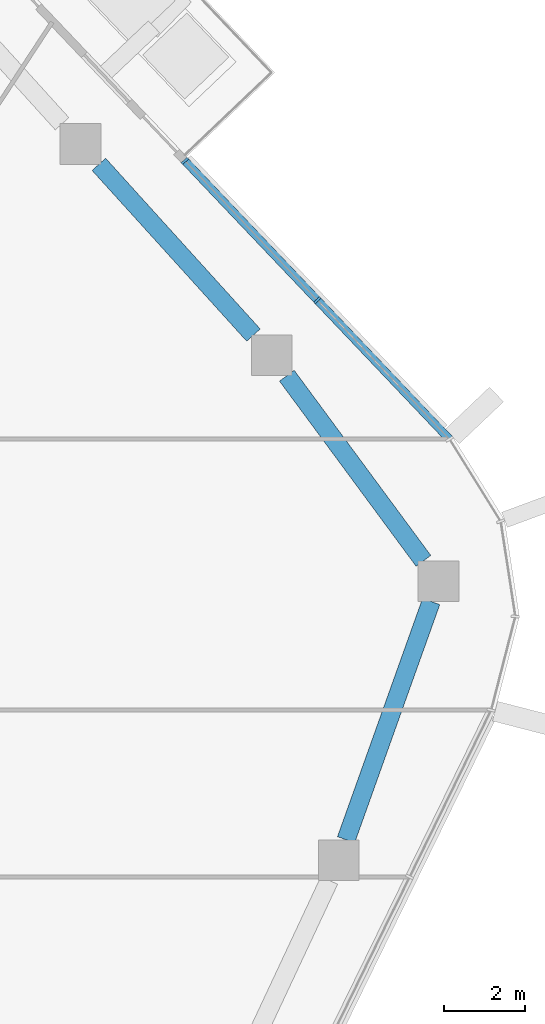
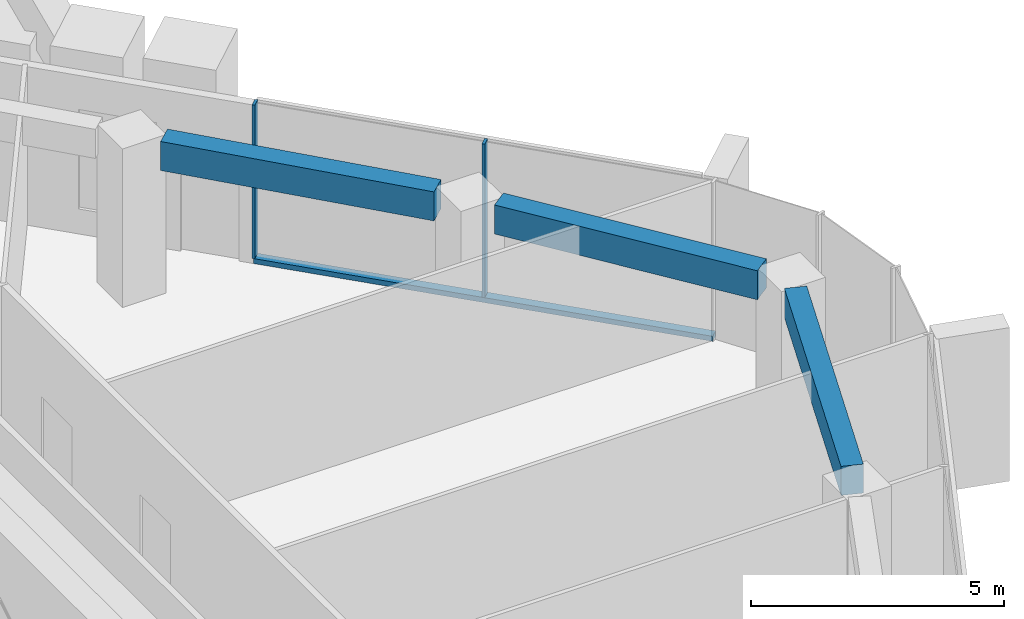
# One storey, part 8 of 23: 3 beams, 3 members, 1 element without a shape of its own.
"""IFC4 building model written with IfcOpenShell, lengths in metres."""

from ifc_helpers import new_model, si_unit, direction, frame, origin, origin_2d, place, context, subcontext, project, spatial, rectangle, extrude, material, layer, layer_set, material_profile, profile_set, type_object, element, aggregate, save


model = new_model("IFC4")

# Units and contexts
model_context = context("Model", 3, precision=1e-05, world=origin(), true_north=direction((0.0, 1.0)))
body_context = subcontext(model_context, "Body", "Model", "MODEL_VIEW")
ifc_project = project(units=[si_unit("LENGTHUNIT", "METRE"), si_unit("AREAUNIT", "SQUARE_METRE"), si_unit("VOLUMEUNIT", "CUBIC_METRE"), si_unit("PLANEANGLEUNIT", "RADIAN"), si_unit("MASSUNIT", "GRAM", prefix="KILO")], contexts=[model_context])

# Site, building, storey
site_placement = place(None, origin())
site = spatial("IfcSite", under=ifc_project, at=site_placement, CompositionType="ELEMENT")
building_placement = place(site_placement, origin())
building = spatial("IfcBuilding", under=site, at=building_placement, Name="Dongbaek Canopy Tower", CompositionType="ELEMENT")
storey_placement = place(building_placement, frame((0.0, 0.0, 340.39990234375)))
storey = spatial("IfcBuildingStorey", under=building, at=storey_placement, Name="L73", CompositionType="ELEMENT", Elevation=340.39990234375)

# Curtain wall, members
ifc_material_1 = material(Name="Aluminium 6063-T6 pale anodised", Category="aluminium")
ifc_layer = layer(ifc_material_1, 0.199951171875)
ifc_layer_set = layer_set([ifc_layer], Name="CW-1 unitised tower curtain wall")
curtain_wall_type = type_object("IfcCurtainWallType", Name="CW-1 unitised tower curtain wall", PredefinedType="NOTDEFINED", material=ifc_layer_set)
curtain_wall_placement = place(storey_placement, origin())
curtain_wall = element("IfcCurtainWall", 1, at=curtain_wall_placement, inside=storey, type_object=curtain_wall_type, Name="CW-1 curtain wall F0.1", PredefinedType="NOTDEFINED")
ifc_material_2 = material(Name="Aluminium 6063-T6 pale anodised", Category="aluminium")
ifc_material_profile_1 = material_profile(ifc_material_2, rectangle(XDim=0.199951171875, YDim=0.06005859375, at=origin_2d()), Name="CW-1 mullion 60 x 200")
ifc_profile_set_1 = profile_set([ifc_material_profile_1], Name="Aluminium 6063-T6 pale anodised")
member_type_1 = type_object("IfcMemberType", Name="CW-1 mullion 60 x 200", PredefinedType="MULLION", material=ifc_profile_set_1)
member_1_placement = place(storey_placement, frame((27.823486328125, 13.61767578125, 0.1201171875), z_axis=(0.0, 0.0, 1.0), x_axis=(0.724939653857, 0.688812382486, 0.0)))
member_1 = element("IfcMember", 2, at=member_1_placement, type_object=member_type_1, Name="CW-1 mullion F0.1.2", PredefinedType="MULLION", context=body_context, shape_type="SweptSolid", body=[
    extrude(rectangle(XDim=0.199951171875, YDim=0.06005859375, at=origin_2d()), origin(), (0.0, 0.0, 1.0), 3.699951171875),
])
member_2_placement = place(storey_placement, frame((24.5634765625, 17.048583984375, 0.1201171875), z_axis=(0.0, 0.0, 1.0), x_axis=(0.724939653857, 0.688812382486, 0.0)))
member_2 = element("IfcMember", 3, at=member_2_placement, type_object=member_type_1, Name="CW-1 mullion F0.1.3", PredefinedType="MULLION", context=body_context, shape_type="SweptSolid", body=[
    extrude(rectangle(XDim=0.199951171875, YDim=0.06005859375, at=origin_2d()), origin(), (0.0, 0.0, 1.0), 3.699951171875),
])
ifc_material_3 = material(Name="Aluminium 6063-T6 pale anodised", Category="aluminium")
ifc_material_profile_2 = material_profile(ifc_material_3, rectangle(XDim=0.199951171875, YDim=0.1201171875, at=origin_2d()), Name="CW-1 transom 120 x 200")
ifc_profile_set_2 = profile_set([ifc_material_profile_2], Name="Aluminium 6063-T6 pale anodised")
member_type_2 = type_object("IfcMemberType", Name="CW-1 transom 120 x 200", PredefinedType="USERDEFINED", material=ifc_profile_set_2)
member_3_placement = place(storey_placement, frame((31.076416015625, 10.1943359375, 0.06005859375), z_axis=(-0.688827497818, 0.724925291496, 0.0), x_axis=(-0.724925291496, -0.688827497818, 0.0)))
member_3 = element("IfcMember", 4, at=member_3_placement, type_object=member_type_2, Name="CW-1 transom F0.1.1", ObjectType="TRANSOM", PredefinedType="USERDEFINED", context=body_context, shape_type="SweptSolid", body=[
    extrude(rectangle(XDim=0.199951171875, YDim=0.1201171875, at=origin_2d()), origin(), (0.0, 0.0, 1.0), 9.455078125),
])
aggregate(curtain_wall, [member_1, member_2, member_3])

# Beams
ifc_material_4 = material(Name="Concrete C60", Category="concrete")
ifc_material_profile_3 = material_profile(ifc_material_4, rectangle(XDim=0.449951171875, YDim=0.699951171875, at=origin_2d()), Name="RC EDGE BEAM 450x700 C60")
ifc_profile_set_3 = profile_set([ifc_material_profile_3], Name="Concrete C60")
beam_type = type_object("IfcBeamType", Name="RC EDGE BEAM 450x700 C60", PredefinedType="BEAM", material=ifc_profile_set_3)
beam_1_placement = place(storey_placement, frame((22.442626953125, 16.9619140625, 3.47021484375), z_axis=(0.671227680473, -0.741251240112, 0.0), x_axis=(0.741251240112, 0.671227680473, 0.0)))
element("IfcBeam", 5, at=beam_1_placement, inside=storey, type_object=beam_type, Name="EDGEBEAM:L73:19", PredefinedType="BEAM", context=body_context, shape_type="SweptSolid", body=[
    extrude(rectangle(XDim=0.449951171875, YDim=0.699951171875, at=origin_2d()), origin(), (0.0, 0.0, 1.0), 5.672607421875),
])
beam_2_placement = place(storey_placement, frame((27.072021484375, 11.757080078125, 3.47021484375), z_axis=(0.593735402363, -0.804660345724, 0.0), x_axis=(0.804660345724, 0.593735402363, 0.0)))
element("IfcBeam", 6, at=beam_2_placement, inside=storey, type_object=beam_type, Name="EDGEBEAM:L73:20", PredefinedType="BEAM", context=body_context, shape_type="SweptSolid", body=[
    extrude(rectangle(XDim=0.449951171875, YDim=0.699951171875, at=origin_2d()), origin(), (0.0, 0.0, 1.0), 5.665771484375),
])
beam_3_placement = place(storey_placement, frame((30.626220703125, 6.197998046875, 3.47021484375), z_axis=(-0.336443121865, -0.941703788752, 0.0), x_axis=(0.941703788752, -0.336443121865, 0.0)))
element("IfcBeam", 7, at=beam_3_placement, inside=storey, type_object=beam_type, Name="EDGEBEAM:L73:21", PredefinedType="BEAM", context=body_context, shape_type="SweptSolid", body=[
    extrude(rectangle(XDim=0.449951171875, YDim=0.699951171875, at=origin_2d()), origin(), (0.0, 0.0, 1.0), 6.231201171875),
])

save(model, "model.ifc")
